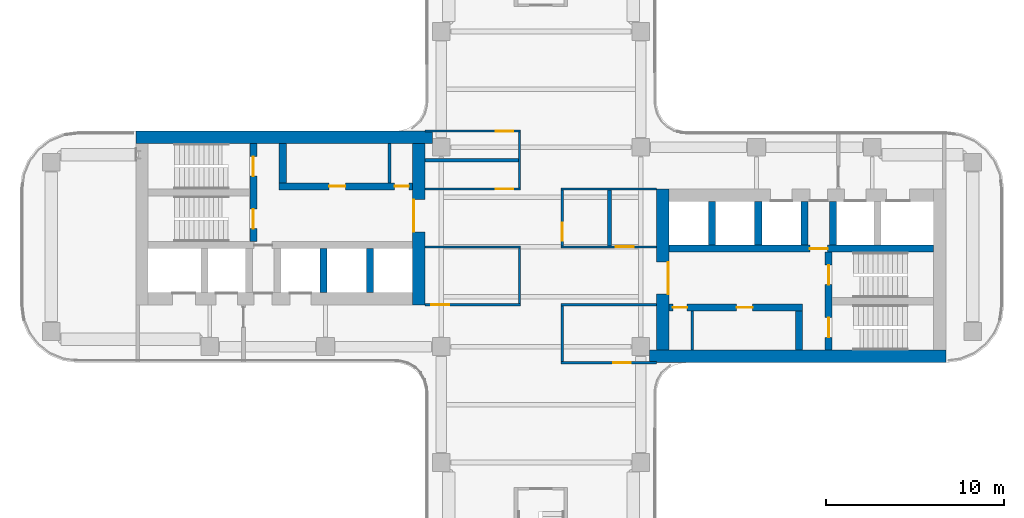
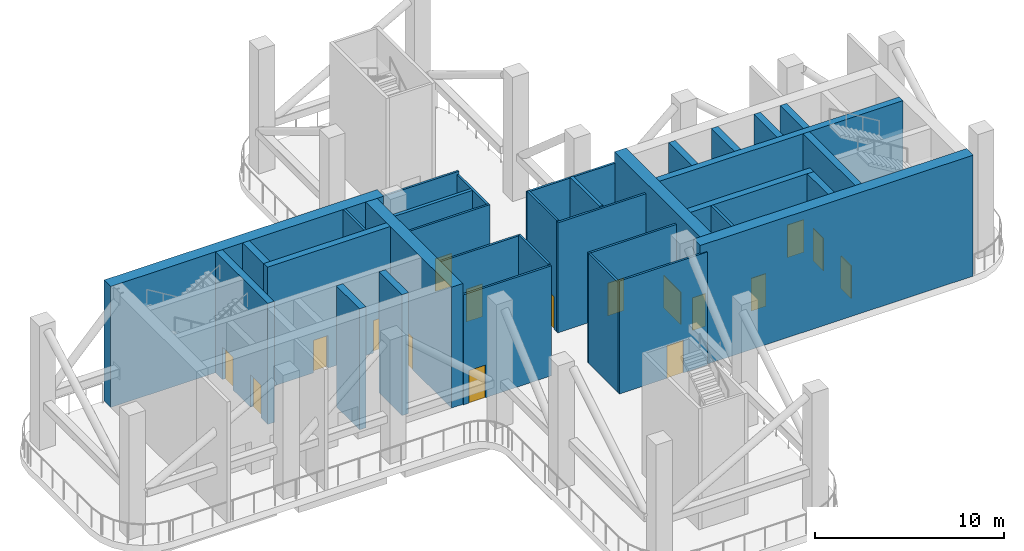
# One storey, part 4 of 9: 33 walls, 17 doors, 17 openings.
"""IFC4 building model written with IfcOpenShell, lengths in metres."""

from ifc_helpers import new_model, si_unit, direction, frame, frame_2d, origin, place, context, subcontext, project, spatial, rectangle, extrude, source, transform, mapped, material, layer, layer_set, type_object, element, fill, save


model = new_model("IFC4")

# Units and contexts
model_context = context("Model", 3, precision=1e-05, world=origin(), true_north=direction((0.0, 1.0)))
body_context = subcontext(model_context, "Body", "Model", "MODEL_VIEW")
ifc_project = project(units=[si_unit("LENGTHUNIT", "METRE"), si_unit("AREAUNIT", "SQUARE_METRE"), si_unit("VOLUMEUNIT", "CUBIC_METRE"), si_unit("PLANEANGLEUNIT", "RADIAN"), si_unit("MASSUNIT", "GRAM", prefix="KILO")], contexts=[model_context])

# Site, building, storey
site_placement = place(None, origin())
site = spatial("IfcSite", under=ifc_project, at=site_placement, CompositionType="ELEMENT")
building_placement = place(site_placement, origin())
building = spatial("IfcBuilding", under=site, at=building_placement, Name="Trellis Farm Tower", CompositionType="ELEMENT")
storey_placement = place(building_placement, frame((0.0, 0.0, 271.39990234375)))
storey = spatial("IfcBuildingStorey", under=building, at=storey_placement, Name="L61", CompositionType="ELEMENT", Elevation=271.39990234375)

# Walls
ifc_material_1 = material(Name="Lightweight blockwork, plastered", Category="masonry")
ifc_layer_1 = layer(ifc_material_1, 0.199951171875)
ifc_layer_set_1 = layer_set([ifc_layer_1], Name="BLOCK WALL 200 EI 120")
wall_type_1 = type_object("IfcWallType", Name="BLOCK WALL 200 EI 120", PredefinedType="PARTITIONING", material=ifc_layer_set_1)
wall_1_placement = place(storey_placement, frame((3.85009765625, 0.0625, 0.0), z_axis=(0.0, 0.0, 1.0), x_axis=(0.0, 1.0, 0.0)))
element("IfcWall", 1, at=wall_1_placement, inside=storey, type_object=wall_type_1, Name="Partition PW3", PredefinedType="PARTITIONING", context=body_context, shape_type="SweptSolid", body=[
    extrude(rectangle(XDim=3.125, YDim=0.199951171875, at=frame_2d((1.5625, 0.0))), origin(), (0.0, 0.0, 1.0), 7.16796875),
])
wall_2_placement = place(storey_placement, frame((-6.5, 4.875, 0.0), z_axis=(0.0, 0.0, 1.0), x_axis=(1.0, 0.0, 0.0)))
element("IfcWall", 2, at=wall_2_placement, inside=storey, type_object=wall_type_1, Name="Partition PW3", PredefinedType="PARTITIONING", context=body_context, shape_type="SweptSolid", body=[
    extrude(rectangle(XDim=5.237548828125, YDim=0.199951171875, at=frame_2d((2.61865234375, 0.0))), origin(), (0.0, 0.0, 1.0), 7.0966796875),
])

# Wall, opening, door
ifc_material_2 = material(Name="Concrete C60/75", Category="concrete")
ifc_layer_2 = layer(ifc_material_2, 0.699951171875)
ifc_layer_set_2 = layer_set([ifc_layer_2], Name="CORE OUTER WALL 700 CONCRETE C60/75")
wall_type_2 = type_object("IfcWallType", Name="CORE OUTER WALL 700 CONCRETE C60/75", PredefinedType="SHEAR", material=ifc_layer_set_2)
shared_shape_1 = source(origin(), body_context, "Body", "SweptSolid", [
    extrude(rectangle(XDim=9.050048828125, YDim=0.699951171875, at=frame_2d((4.52490234375, 0.0))), origin(), (0.0, 0.0, 1.0), 7.800048828125),
])
wall_3_placement = place(storey_placement, frame((6.85009765625, -5.800048828125, 0.0), z_axis=(0.0, 0.0, 1.0), x_axis=(0.0, 1.0, 0.0)))
wall_3 = element("IfcWall", 3, at=wall_3_placement, inside=storey, type_object=wall_type_2, Name="Core wall", PredefinedType="SHEAR", context=body_context, shape_type="MappedRepresentation", body=[
    mapped(shared_shape_1, transform((0.0, 0.0, 0.0))),
])
shared_shape_2 = source(origin(), body_context, "Body", "SweptSolid", [
    extrude(rectangle(XDim=1.800048828125, YDim=2.10009765625, at=frame_2d((0.89990234375, 1.050048828125))), frame((0.0, 0.360107421875, 0.0), z_axis=(0.0, -1.0, 0.0), x_axis=(1.0, 0.0, 0.0)), (0.0, 0.0, 1.0), 0.72021484375),
])
opening_1_placement = place(wall_3_placement, frame((3.14990234375, 0.0, 0.0)))
opening_1 = element("IfcOpeningElement", 4, at=opening_1_placement, cuts=wall_3, Name="Opening DC1", PredefinedType="OPENING", context=body_context, shape_type="MappedRepresentation", body=[
    mapped(shared_shape_2, transform((0.0, 0.0, 0.0))),
])
ifc_material_3 = material(Name="Steel", Category="steel")
door_type_1 = type_object("IfcDoorType", Name="CORE FIRE DOOR DOUBLE 1800 X 2100", OperationType="DOUBLE_DOOR_SINGLE_SWING", PredefinedType="DOOR", material=ifc_material_3)
shared_shape_3 = source(origin(), body_context, "Body", "SweptSolid", [
    extrude(rectangle(XDim=1.800048828125, YDim=2.10009765625, at=frame_2d((0.89990234375, 1.050048828125))), frame((0.0, -0.27490234375, 0.0), z_axis=(0.0, -1.0, 0.0), x_axis=(1.0, 0.0, 0.0)), (0.0, 0.0, 1.0), 0.050048828125),
])
door_1_placement = place(opening_1_placement, origin())
door_1 = element("IfcDoor", 5, at=door_1_placement, inside=storey, type_object=door_type_1, Name="Core door", OperationType="DOUBLE_DOOR_SINGLE_SWING", OverallHeight=2.10009765625, OverallWidth=1.800048828125, PredefinedType="DOOR", context=body_context, shape_type="MappedRepresentation", body=[
    mapped(shared_shape_3, transform((0.0, 0.0, 0.0))),
])
fill(opening_1, door_1)

wall_4_placement = place(storey_placement, frame((-6.85009765625, 5.800048828125, 0.0), z_axis=(0.0, 0.0, 1.0), x_axis=(0.0, -1.0, 0.0)))
wall_4 = element("IfcWall", 6, at=wall_4_placement, inside=storey, type_object=wall_type_2, Name="Core wall", PredefinedType="SHEAR", context=body_context, shape_type="MappedRepresentation", body=[
    mapped(shared_shape_1, transform((0.0, 0.0, 0.0))),
])
opening_2_placement = place(wall_4_placement, frame((3.14990234375, 0.0, 0.0)))
opening_2 = element("IfcOpeningElement", 7, at=opening_2_placement, cuts=wall_4, Name="Opening DC87", PredefinedType="OPENING", context=body_context, shape_type="MappedRepresentation", body=[
    mapped(shared_shape_2, transform((0.0, 0.0, 0.0))),
])
door_2_placement = place(opening_2_placement, origin())
door_2 = element("IfcDoor", 8, at=door_2_placement, inside=storey, type_object=door_type_1, Name="Core door", OperationType="DOUBLE_DOOR_SINGLE_SWING", OverallHeight=2.10009765625, OverallWidth=1.800048828125, PredefinedType="DOOR", context=body_context, shape_type="MappedRepresentation", body=[
    mapped(shared_shape_3, transform((0.0, 0.0, 0.0))),
])
fill(opening_2, door_2)

# Walls
ifc_layer_3 = layer(ifc_material_2, 0.39990234375)
ifc_layer_set_3 = layer_set([ifc_layer_3], Name="CORE INNER WALL 400 CONCRETE C60/75")
wall_type_3 = type_object("IfcWallType", Name="CORE INNER WALL 400 CONCRETE C60/75", PredefinedType="SHEAR", material=ifc_layer_set_3)
shared_shape_4 = source(origin(), body_context, "Body", "SweptSolid", [
    extrude(rectangle(XDim=2.449951171875, YDim=0.39990234375, at=frame_2d((1.22509765625, 0.0))), origin(), (0.0, 0.0, 1.0), 7.800048828125),
])
for number, where, z_axis, x_axis, name in (
    (9, (9.60009765625, 0.10009765625, 0.0), (0.0, 0.0, 1.0), (0.0, 1.0, 0.0), "Core wall"),
    (10, (12.199951171875, 0.10009765625, 0.0), (0.0, 0.0, 1.0), (0.0, 1.0, 0.0), "Core wall"),
    (11, (14.800048828125, 0.10009765625, 0.0), (0.0, 0.0, 1.0), (0.0, 1.0, 0.0), "Core wall"),
    (12, (16.39990234375, 0.10009765625, 0.0), (0.0, 0.0, 1.0), (0.0, 1.0, 0.0), "Core wall"),
    (13, (-9.60009765625, -0.10009765625, 0.0), (0.0, 0.0, 1.0), (0.0, -1.0, 0.0), "Core wall"),
    (14, (-12.199951171875, -0.10009765625, 0.0), (0.0, 0.0, 1.0), (0.0, -1.0, 0.0), "Core wall"),
):
    element("IfcWall", number, at=place(storey_placement, frame(where, z_axis=z_axis, x_axis=x_axis)), inside=storey, type_object=wall_type_3, Name=name, PredefinedType="SHEAR", context=body_context, shape_type="MappedRepresentation", body=[
        mapped(shared_shape_4, transform((0.0, 0.0, 0.0))),
    ])

# Wall, openings, doors
shared_shape_5 = source(origin(), body_context, "Body", "SweptSolid", [
    extrude(rectangle(XDim=7.5, YDim=0.39990234375, at=frame_2d((3.75, 0.0))), origin(), (0.0, 0.0, 1.0), 7.800048828125),
])
wall_5_placement = place(storey_placement, frame((7.199951171875, -3.39990234375, 0.0), z_axis=(0.0, 0.0, 1.0), x_axis=(1.0, 0.0, 0.0)))
wall_5 = element("IfcWall", 15, at=wall_5_placement, inside=storey, type_object=wall_type_3, Name="Core wall", PredefinedType="SHEAR", context=body_context, shape_type="MappedRepresentation", body=[
    mapped(shared_shape_5, transform((0.0, 0.0, 0.0))),
])
shared_shape_6 = source(origin(), body_context, "Body", "SweptSolid", [
    extrude(rectangle(XDim=0.800048828125, YDim=2.10009765625, at=frame_2d((0.39990234375, 1.050048828125))), frame((0.0, 0.2099609375, 0.0), z_axis=(0.0, -1.0, 0.0), x_axis=(1.0, 0.0, 0.0)), (0.0, 0.0, 1.0), 0.419921875),
])
opening_3_placement = place(wall_5_placement, frame((0.21240234375, 0.0, 0.0)))
opening_3 = element("IfcOpeningElement", 16, at=opening_3_placement, cuts=wall_5, Name="Opening DC51", PredefinedType="OPENING", context=body_context, shape_type="MappedRepresentation", body=[
    mapped(shared_shape_6, transform((0.0, 0.0, 0.0))),
])
shared_shape_7 = source(origin(), body_context, "Body", "SweptSolid", [
    extrude(rectangle(XDim=0.89990234375, YDim=2.10009765625, at=frame_2d((0.449951171875, 1.050048828125))), frame((0.0, 0.2099609375, 0.0), z_axis=(0.0, -1.0, 0.0), x_axis=(1.0, 0.0, 0.0)), (0.0, 0.0, 1.0), 0.419921875),
])
opening_4_placement = place(wall_5_placement, frame((3.78759765625, 0.0, 0.0)))
opening_4 = element("IfcOpeningElement", 17, at=opening_4_placement, cuts=wall_5, Name="Opening DC60", PredefinedType="OPENING", context=body_context, shape_type="MappedRepresentation", body=[
    mapped(shared_shape_7, transform((0.0, 0.0, 0.0))),
])
door_type_2 = type_object("IfcDoorType", Name="CORE FIRE DOOR 900 X 2100", OperationType="NOTDEFINED", PredefinedType="DOOR", material=ifc_material_3)
shared_shape_8 = source(origin(), body_context, "Body", "SweptSolid", [
    extrude(rectangle(XDim=0.89990234375, YDim=2.10009765625, at=frame_2d((0.449951171875, 1.050048828125))), frame((0.0, 0.02490234375, 0.0), z_axis=(0.0, -1.0, 0.0), x_axis=(1.0, 0.0, 0.0)), (0.0, 0.0, 1.0), 0.050048828125),
])
door_3_placement = place(opening_4_placement, origin())
door_3 = element("IfcDoor", 18, at=door_3_placement, inside=storey, type_object=door_type_2, Name="Core door", OperationType="SINGLE_SWING_RIGHT", OverallHeight=2.10009765625, OverallWidth=0.89990234375, PredefinedType="DOOR", context=body_context, shape_type="MappedRepresentation", body=[
    mapped(shared_shape_8, transform((0.0, 0.0, 0.0))),
])
fill(opening_4, door_3)
door_type_3 = type_object("IfcDoorType", Name="CORE FIRE DOOR 800 X 2100", OperationType="NOTDEFINED", PredefinedType="DOOR", material=ifc_material_3)
shared_shape_9 = source(origin(), body_context, "Body", "SweptSolid", [
    extrude(rectangle(XDim=0.800048828125, YDim=2.10009765625, at=frame_2d((0.39990234375, 1.050048828125))), frame((0.0, 0.02490234375, 0.0), z_axis=(0.0, -1.0, 0.0), x_axis=(1.0, 0.0, 0.0)), (0.0, 0.0, 1.0), 0.050048828125),
])
door_4_placement = place(opening_3_placement, origin())
door_4 = element("IfcDoor", 19, at=door_4_placement, inside=storey, type_object=door_type_3, Name="Core door", OperationType="SINGLE_SWING_LEFT", OverallHeight=2.10009765625, OverallWidth=0.800048828125, PredefinedType="DOOR", context=body_context, shape_type="MappedRepresentation", body=[
    mapped(shared_shape_9, transform((0.0, 0.0, 0.0))),
])
fill(opening_3, door_4)

wall_6_placement = place(storey_placement, frame((-7.199951171875, 3.39990234375, 0.0), z_axis=(0.0, 0.0, 1.0), x_axis=(-1.0, 0.0, 0.0)))
wall_6 = element("IfcWall", 20, at=wall_6_placement, inside=storey, type_object=wall_type_3, Name="Core wall", PredefinedType="SHEAR", context=body_context, shape_type="MappedRepresentation", body=[
    mapped(shared_shape_5, transform((0.0, 0.0, 0.0))),
])
opening_5_placement = place(wall_6_placement, frame((0.21240234375, 0.0, 0.0)))
opening_5 = element("IfcOpeningElement", 21, at=opening_5_placement, cuts=wall_6, Name="Opening DC137", PredefinedType="OPENING", context=body_context, shape_type="MappedRepresentation", body=[
    mapped(shared_shape_6, transform((0.0, 0.0, 0.0))),
])
opening_6_placement = place(wall_6_placement, frame((3.78759765625, 0.0, 0.0)))
opening_6 = element("IfcOpeningElement", 22, at=opening_6_placement, cuts=wall_6, Name="Opening DC146", PredefinedType="OPENING", context=body_context, shape_type="MappedRepresentation", body=[
    mapped(shared_shape_7, transform((0.0, 0.0, 0.0))),
])
door_5_placement = place(opening_6_placement, origin())
door_5 = element("IfcDoor", 23, at=door_5_placement, inside=storey, type_object=door_type_2, Name="Core door", OperationType="SINGLE_SWING_RIGHT", OverallHeight=2.10009765625, OverallWidth=0.89990234375, PredefinedType="DOOR", context=body_context, shape_type="MappedRepresentation", body=[
    mapped(shared_shape_8, transform((0.0, 0.0, 0.0))),
])
fill(opening_6, door_5)
door_6_placement = place(opening_5_placement, origin())
door_6 = element("IfcDoor", 24, at=door_6_placement, inside=storey, type_object=door_type_3, Name="Core door", OperationType="SINGLE_SWING_LEFT", OverallHeight=2.10009765625, OverallWidth=0.800048828125, PredefinedType="DOOR", context=body_context, shape_type="MappedRepresentation", body=[
    mapped(shared_shape_9, transform((0.0, 0.0, 0.0))),
])
fill(opening_5, door_6)

# Wall, opening, door
shared_shape_10 = source(origin(), body_context, "Body", "SweptSolid", [
    extrude(rectangle(XDim=14.85009765625, YDim=0.39990234375, at=frame_2d((7.425048828125, 0.0))), origin(), (0.0, 0.0, 1.0), 7.800048828125),
])
wall_7_placement = place(storey_placement, frame((7.199951171875, -0.10009765625, 0.0), z_axis=(0.0, 0.0, 1.0), x_axis=(1.0, 0.0, 0.0)))
wall_7 = element("IfcWall", 25, at=wall_7_placement, inside=storey, type_object=wall_type_3, Name="Core wall", PredefinedType="SHEAR", context=body_context, shape_type="MappedRepresentation", body=[
    mapped(shared_shape_10, transform((0.0, 0.0, 0.0))),
])
shared_shape_11 = source(origin(), body_context, "Body", "SweptSolid", [
    extrude(rectangle(XDim=1.0, YDim=2.10009765625, at=frame_2d((0.5, 1.050048828125))), frame((0.0, 0.2099609375, 0.0), z_axis=(0.0, -1.0, 0.0), x_axis=(1.0, 0.0, 0.0)), (0.0, 0.0, 1.0), 0.419921875),
])
opening_7_placement = place(wall_7_placement, frame((7.89990234375, 0.0, 0.0)))
opening_7 = element("IfcOpeningElement", 26, at=opening_7_placement, cuts=wall_7, Name="Opening DC5", PredefinedType="OPENING", context=body_context, shape_type="MappedRepresentation", body=[
    mapped(shared_shape_11, transform((0.0, 0.0, 0.0))),
])
door_type_4 = type_object("IfcDoorType", Name="CORE FIRE DOOR 1000 X 2100", OperationType="NOTDEFINED", PredefinedType="DOOR", material=ifc_material_3)
shared_shape_12 = source(origin(), body_context, "Body", "SweptSolid", [
    extrude(rectangle(XDim=1.0, YDim=2.10009765625, at=frame_2d((0.5, 1.050048828125))), frame((0.0, 0.02490234375, 0.0), z_axis=(0.0, -1.0, 0.0), x_axis=(1.0, 0.0, 0.0)), (0.0, 0.0, 1.0), 0.050048828125),
])
door_7_placement = place(opening_7_placement, origin())
door_7 = element("IfcDoor", 27, at=door_7_placement, inside=storey, type_object=door_type_4, Name="Core door", OperationType="SINGLE_SWING_RIGHT", OverallHeight=2.10009765625, OverallWidth=1.0, PredefinedType="DOOR", context=body_context, shape_type="MappedRepresentation", body=[
    mapped(shared_shape_12, transform((0.0, 0.0, 0.0))),
])
fill(opening_7, door_7)

# Wall, openings, doors
shared_shape_13 = source(origin(), body_context, "Body", "SweptSolid", [
    extrude(rectangle(XDim=5.5, YDim=0.39990234375, at=frame_2d((2.75, 0.0))), origin(), (0.0, 0.0, 1.0), 7.800048828125),
])
wall_8_placement = place(storey_placement, frame((16.14990234375, -5.800048828125, 0.0), z_axis=(0.0, 0.0, 1.0), x_axis=(0.0, 1.0, 0.0)))
wall_8 = element("IfcWall", 28, at=wall_8_placement, inside=storey, type_object=wall_type_3, Name="Core wall", PredefinedType="SHEAR", context=body_context, shape_type="MappedRepresentation", body=[
    mapped(shared_shape_13, transform((0.0, 0.0, 0.0))),
])
shared_shape_14 = source(origin(), body_context, "Body", "SweptSolid", [
    extrude(rectangle(XDim=1.10009765625, YDim=2.10009765625, at=frame_2d((0.550048828125, 1.050048828125))), frame((0.0, 0.2099609375, 0.0), z_axis=(0.0, -1.0, 0.0), x_axis=(1.0, 0.0, 0.0)), (0.0, 0.0, 1.0), 0.419921875),
])
opening_8_placement = place(wall_8_placement, frame((0.72509765625, 0.0, 0.0)))
opening_8 = element("IfcOpeningElement", 29, at=opening_8_placement, cuts=wall_8, Name="Opening DC2", PredefinedType="OPENING", context=body_context, shape_type="MappedRepresentation", body=[
    mapped(shared_shape_14, transform((0.0, 0.0, 0.0))),
])
opening_9_placement = place(wall_8_placement, frame((3.675048828125, 0.0, 0.0)))
opening_9 = element("IfcOpeningElement", 30, at=opening_9_placement, cuts=wall_8, Name="Opening DC3", PredefinedType="OPENING", context=body_context, shape_type="MappedRepresentation", body=[
    mapped(shared_shape_14, transform((0.0, 0.0, 0.0))),
])
door_type_5 = type_object("IfcDoorType", Name="CORE FIRE DOOR 1100 X 2100", OperationType="NOTDEFINED", PredefinedType="DOOR", material=ifc_material_3)
shared_shape_15 = source(origin(), body_context, "Body", "SweptSolid", [
    extrude(rectangle(XDim=1.10009765625, YDim=2.10009765625, at=frame_2d((0.550048828125, 1.050048828125))), frame((0.0, 0.02490234375, 0.0), z_axis=(0.0, -1.0, 0.0), x_axis=(1.0, 0.0, 0.0)), (0.0, 0.0, 1.0), 0.050048828125),
])
door_8_placement = place(opening_8_placement, origin())
door_8 = element("IfcDoor", 31, at=door_8_placement, inside=storey, type_object=door_type_5, Name="Core door", OperationType="SINGLE_SWING_RIGHT", OverallHeight=2.10009765625, OverallWidth=1.10009765625, PredefinedType="DOOR", context=body_context, shape_type="MappedRepresentation", body=[
    mapped(shared_shape_15, transform((0.0, 0.0, 0.0))),
])
fill(opening_8, door_8)
door_9_placement = place(opening_9_placement, origin())
door_9 = element("IfcDoor", 32, at=door_9_placement, inside=storey, type_object=door_type_5, Name="Core door", OperationType="SINGLE_SWING_LEFT", OverallHeight=2.10009765625, OverallWidth=1.10009765625, PredefinedType="DOOR", context=body_context, shape_type="MappedRepresentation", body=[
    mapped(shared_shape_15, transform((0.0, 0.0, 0.0))),
])
fill(opening_9, door_9)

wall_9_placement = place(storey_placement, frame((-16.14990234375, 5.800048828125, 0.0), z_axis=(0.0, 0.0, 1.0), x_axis=(0.0, -1.0, 0.0)))
wall_9 = element("IfcWall", 33, at=wall_9_placement, inside=storey, type_object=wall_type_3, Name="Core wall", PredefinedType="SHEAR", context=body_context, shape_type="MappedRepresentation", body=[
    mapped(shared_shape_13, transform((0.0, 0.0, 0.0))),
])
opening_10_placement = place(wall_9_placement, frame((0.72509765625, 0.0, 0.0)))
opening_10 = element("IfcOpeningElement", 34, at=opening_10_placement, cuts=wall_9, Name="Opening DC88", PredefinedType="OPENING", context=body_context, shape_type="MappedRepresentation", body=[
    mapped(shared_shape_14, transform((0.0, 0.0, 0.0))),
])
opening_11_placement = place(wall_9_placement, frame((3.675048828125, 0.0, 0.0)))
opening_11 = element("IfcOpeningElement", 35, at=opening_11_placement, cuts=wall_9, Name="Opening DC89", PredefinedType="OPENING", context=body_context, shape_type="MappedRepresentation", body=[
    mapped(shared_shape_14, transform((0.0, 0.0, 0.0))),
])
door_10_placement = place(opening_10_placement, origin())
door_10 = element("IfcDoor", 36, at=door_10_placement, inside=storey, type_object=door_type_5, Name="Core door", OperationType="SINGLE_SWING_RIGHT", OverallHeight=2.10009765625, OverallWidth=1.10009765625, PredefinedType="DOOR", context=body_context, shape_type="MappedRepresentation", body=[
    mapped(shared_shape_15, transform((0.0, 0.0, 0.0))),
])
fill(opening_10, door_10)
door_11_placement = place(opening_11_placement, origin())
door_11 = element("IfcDoor", 37, at=door_11_placement, inside=storey, type_object=door_type_5, Name="Core door", OperationType="SINGLE_SWING_LEFT", OverallHeight=2.10009765625, OverallWidth=1.10009765625, PredefinedType="DOOR", context=body_context, shape_type="MappedRepresentation", body=[
    mapped(shared_shape_15, transform((0.0, 0.0, 0.0))),
])
fill(opening_11, door_11)

# Walls
shared_shape_16 = source(origin(), body_context, "Body", "SweptSolid", [
    extrude(rectangle(XDim=2.199951171875, YDim=0.39990234375, at=frame_2d((1.10009765625, 0.0))), origin(), (0.0, 0.0, 1.0), 7.800048828125),
])
for number, where, z_axis, x_axis, name in (
    (38, (14.5, -5.800048828125, 0.0), (0.0, 0.0, 1.0), (0.0, 1.0, 0.0), "Core wall"),
    (39, (-14.5, 5.800048828125, 0.0), (0.0, 0.0, 1.0), (0.0, -1.0, 0.0), "Core wall"),
):
    element("IfcWall", number, at=place(storey_placement, frame(where, z_axis=z_axis, x_axis=x_axis)), inside=storey, type_object=wall_type_3, Name=name, PredefinedType="SHEAR", context=body_context, shape_type="MappedRepresentation", body=[
        mapped(shared_shape_16, transform((0.0, 0.0, 0.0))),
    ])
ifc_material_4 = material(Name="Masonry blockwork", Category="masonry")
ifc_layer_4 = layer(ifc_material_4, 0.14990234375)
ifc_layer_set_4 = layer_set([ifc_layer_4], Name="CORE PARTITION 150 BLOCKWORK")
wall_type_4 = type_object("IfcWallType", Name="CORE PARTITION 150 BLOCKWORK", PredefinedType="PARTITIONING", material=ifc_layer_set_4)
shared_shape_17 = source(origin(), body_context, "Body", "SweptSolid", [
    extrude(rectangle(XDim=2.199951171875, YDim=0.14990234375, at=frame_2d((1.10009765625, 0.0))), origin(), (0.0, 0.0, 1.0), 7.800048828125),
])
for number, where, z_axis, x_axis, name in (
    (40, (8.5, -5.800048828125, 0.0), (0.0, 0.0, 1.0), (0.0, 1.0, 0.0), "Core room partition"),
    (41, (-8.5, 5.800048828125, 0.0), (0.0, 0.0, 1.0), (0.0, -1.0, 0.0), "Core room partition"),
):
    element("IfcWall", number, at=place(storey_placement, frame(where, z_axis=z_axis, x_axis=x_axis)), inside=storey, type_object=wall_type_4, Name=name, PredefinedType="PARTITIONING", context=body_context, shape_type="MappedRepresentation", body=[
        mapped(shared_shape_17, transform((0.0, 0.0, 0.0))),
    ])
shared_shape_18 = source(origin(), body_context, "Body", "SweptSolid", [
    extrude(rectangle(XDim=16.64990234375, YDim=0.699951171875, at=frame_2d((8.324951171875, 0.0))), origin(), (0.0, 0.0, 1.0), 7.800048828125),
])
for number, where, z_axis, x_axis, name in (
    (42, (6.10009765625, -6.14990234375, 0.0), (0.0, 0.0, 1.0), (1.0, 0.0, 0.0), "Core wall"),
    (43, (-6.10009765625, 6.14990234375, 0.0), (0.0, 0.0, 1.0), (-1.0, 0.0, 0.0), "Core wall"),
):
    element("IfcWall", number, at=place(storey_placement, frame(where, z_axis=z_axis, x_axis=x_axis)), inside=storey, type_object=wall_type_2, Name=name, PredefinedType="SHEAR", context=body_context, shape_type="MappedRepresentation", body=[
        mapped(shared_shape_18, transform((0.0, 0.0, 0.0))),
    ])
ifc_material_5 = material(Name="Plasterboard on steel studs, mineral wool", Category="steel")
ifc_layer_5 = layer(ifc_material_5, 0.125)
ifc_layer_set_5 = layer_set([ifc_layer_5], Name="PARTITION 125 STUD EI 60")
wall_type_5 = type_object("IfcWallType", Name="PARTITION 125 STUD EI 60", PredefinedType="PARTITIONING", material=ifc_layer_set_5)
shared_shape_19 = source(origin(), body_context, "Body", "SweptSolid", [
    extrude(rectangle(XDim=3.125, YDim=0.125, at=frame_2d((1.5625, 0.0))), origin(), (0.0, 0.0, 1.0), 7.16796875),
])
wall_10_placement = place(storey_placement, frame((-1.199951171875, -0.0625, 0.0), z_axis=(0.0, 0.0, 1.0), x_axis=(0.0, -1.0, 0.0)))
element("IfcWall", 44, at=wall_10_placement, inside=storey, type_object=wall_type_5, Name="Partition PW1", PredefinedType="PARTITIONING", context=body_context, shape_type="MappedRepresentation", body=[
    mapped(shared_shape_19, transform((0.0, 0.0, 0.0))),
])

# Wall, opening, door
wall_11_placement = place(storey_placement, frame((1.199951171875, 3.1875, 0.0), z_axis=(0.0, 0.0, 1.0), x_axis=(0.0, -1.0, 0.0)))
wall_11 = element("IfcWall", 45, at=wall_11_placement, inside=storey, type_object=wall_type_5, Name="Partition PW1", PredefinedType="PARTITIONING", context=body_context, shape_type="MappedRepresentation", body=[
    mapped(shared_shape_19, transform((0.0, 0.0, 0.0))),
])
shared_shape_20 = source(origin(), body_context, "Body", "SweptSolid", [
    extrude(rectangle(XDim=1.0, YDim=2.10009765625, at=frame_2d((0.5, 1.050048828125))), frame((0.0, 0.072509765625, 0.0), z_axis=(0.0, -1.0, 0.0), x_axis=(1.0, 0.0, 0.0)), (0.0, 0.0, 1.0), 0.14501953125),
])
opening_12_placement = place(wall_11_placement, frame((1.83740234375, 0.0, 0.0)))
opening_12 = element("IfcOpeningElement", 46, at=opening_12_placement, cuts=wall_11, Name="Opening D304", PredefinedType="OPENING", context=body_context, shape_type="MappedRepresentation", body=[
    mapped(shared_shape_20, transform((0.0, 0.0, 0.0))),
])
ifc_material_6 = material(Name="Fire-rated timber door leaf in a hollow metal frame", Category="wood")
door_type_6 = type_object("IfcDoorType", Name="DOOR 1000x2100 FD60", OperationType="NOTDEFINED", PredefinedType="DOOR", material=ifc_material_6)
door_12_placement = place(opening_12_placement, origin())
door_12 = element("IfcDoor", 47, at=door_12_placement, inside=storey, type_object=door_type_6, Name="Door D304", OperationType="SINGLE_SWING_RIGHT", OverallHeight=2.10009765625, OverallWidth=1.0, PredefinedType="DOOR", context=body_context, shape_type="MappedRepresentation", body=[
    mapped(shared_shape_12, transform((0.0, 0.0, 0.0))),
])
fill(opening_12, door_12)

shared_shape_21 = source(origin(), body_context, "Body", "SweptSolid", [
    extrude(rectangle(XDim=5.362548828125, YDim=0.125, at=frame_2d((2.68115234375, 0.0))), origin(), (0.0, 0.0, 1.0), 7.280029296875),
])
wall_12_placement = place(storey_placement, frame((6.5, -6.5, 0.0), z_axis=(0.0, 0.0, 1.0), x_axis=(-1.0, 0.0, 0.0)))
wall_12 = element("IfcWall", 48, at=wall_12_placement, inside=storey, type_object=wall_type_5, Name="Partition PW1", PredefinedType="PARTITIONING", context=body_context, shape_type="MappedRepresentation", body=[
    mapped(shared_shape_21, transform((0.0, 0.0, 0.0))),
])
opening_13_placement = place(wall_12_placement, frame((1.449951171875, 0.0, 0.0)))
opening_13 = element("IfcOpeningElement", 49, at=opening_13_placement, cuts=wall_12, Name="Opening D301", PredefinedType="OPENING", context=body_context, shape_type="MappedRepresentation", body=[
    mapped(shared_shape_20, transform((0.0, 0.0, 0.0))),
])
door_13_placement = place(opening_13_placement, origin())
door_13 = element("IfcDoor", 50, at=door_13_placement, inside=storey, type_object=door_type_6, Name="Door D301", OperationType="SINGLE_SWING_LEFT", OverallHeight=2.10009765625, OverallWidth=1.0, PredefinedType="DOOR", context=body_context, shape_type="MappedRepresentation", body=[
    mapped(shared_shape_12, transform((0.0, 0.0, 0.0))),
])
fill(opening_13, door_13)

wall_13_placement = place(storey_placement, frame((-6.5, 6.5, 0.0), z_axis=(0.0, 0.0, 1.0), x_axis=(1.0, 0.0, 0.0)))
wall_13 = element("IfcWall", 51, at=wall_13_placement, inside=storey, type_object=wall_type_5, Name="Partition PW1", PredefinedType="PARTITIONING", context=body_context, shape_type="MappedRepresentation", body=[
    mapped(shared_shape_21, transform((0.0, 0.0, 0.0))),
])
opening_14_placement = place(wall_13_placement, frame((3.949951171875, 0.0, 0.0)))
opening_14 = element("IfcOpeningElement", 52, at=opening_14_placement, cuts=wall_13, Name="Opening D306", PredefinedType="OPENING", context=body_context, shape_type="MappedRepresentation", body=[
    mapped(shared_shape_20, transform((0.0, 0.0, 0.0))),
])
door_14_placement = place(opening_14_placement, origin())
door_14 = element("IfcDoor", 53, at=door_14_placement, inside=storey, type_object=door_type_6, Name="Door D306", OperationType="SINGLE_SWING_RIGHT", OverallHeight=2.10009765625, OverallWidth=1.0, PredefinedType="DOOR", context=body_context, shape_type="MappedRepresentation", body=[
    mapped(shared_shape_12, transform((0.0, 0.0, 0.0))),
])
fill(opening_14, door_14)

# Walls
shared_shape_22 = source(origin(), body_context, "Body", "SweptSolid", [
    extrude(rectangle(XDim=3.125, YDim=0.125, at=frame_2d((1.5625, 0.0))), origin(), (0.0, 0.0, 1.0), 7.0966796875),
])
for number, where, z_axis, x_axis, name in (
    (54, (-1.199951171875, 6.4375, 0.0), (0.0, 0.0, 1.0), (0.0, -1.0, 0.0), "Partition PW1"),
    (55, (1.199951171875, -3.3125, 0.0), (0.0, 0.0, 1.0), (0.0, -1.0, 0.0), "Partition PW1"),
):
    element("IfcWall", number, at=place(storey_placement, frame(where, z_axis=z_axis, x_axis=x_axis)), inside=storey, type_object=wall_type_5, Name=name, PredefinedType="PARTITIONING", context=body_context, shape_type="MappedRepresentation", body=[
        mapped(shared_shape_22, transform((0.0, 0.0, 0.0))),
    ])

# Wall, opening, door
shared_shape_23 = source(origin(), body_context, "Body", "SweptSolid", [
    extrude(rectangle(XDim=5.362548828125, YDim=0.125, at=frame_2d((2.68115234375, 0.0))), origin(), (0.0, 0.0, 1.0), 7.0966796875),
])
wall_14_placement = place(storey_placement, frame((-1.137451171875, -3.25, 0.0), z_axis=(0.0, 0.0, 1.0), x_axis=(-1.0, 0.0, 0.0)))
wall_14 = element("IfcWall", 56, at=wall_14_placement, inside=storey, type_object=wall_type_5, Name="Partition PW1", PredefinedType="PARTITIONING", context=body_context, shape_type="MappedRepresentation", body=[
    mapped(shared_shape_23, transform((0.0, 0.0, 0.0))),
])
opening_15_placement = place(wall_14_placement, frame((4.012451171875, 0.0, 0.0)))
opening_15 = element("IfcOpeningElement", 57, at=opening_15_placement, cuts=wall_14, Name="Opening D302", PredefinedType="OPENING", context=body_context, shape_type="MappedRepresentation", body=[
    mapped(shared_shape_20, transform((0.0, 0.0, 0.0))),
])
door_15_placement = place(opening_15_placement, origin())
door_15 = element("IfcDoor", 58, at=door_15_placement, inside=storey, type_object=door_type_6, Name="Door D302", OperationType="SINGLE_SWING_RIGHT", OverallHeight=2.10009765625, OverallWidth=1.0, PredefinedType="DOOR", context=body_context, shape_type="MappedRepresentation", body=[
    mapped(shared_shape_12, transform((0.0, 0.0, 0.0))),
])
fill(opening_15, door_15)

# Walls
for number, where, z_axis, x_axis, name in (
    (59, (6.5, -3.25, 0.0), (0.0, 0.0, 1.0), (-1.0, 0.0, 0.0), "Partition PW1"),
    (60, (-1.137451171875, 0.0, 0.0), (0.0, 0.0, 1.0), (-1.0, 0.0, 0.0), "Partition PW1"),
):
    element("IfcWall", number, at=place(storey_placement, frame(where, z_axis=z_axis, x_axis=x_axis)), inside=storey, type_object=wall_type_5, Name=name, PredefinedType="PARTITIONING", context=body_context, shape_type="MappedRepresentation", body=[
        mapped(shared_shape_23, transform((0.0, 0.0, 0.0))),
    ])

# Wall, opening, door
wall_15_placement = place(storey_placement, frame((6.5, 0.0, 0.0), z_axis=(0.0, 0.0, 1.0), x_axis=(-1.0, 0.0, 0.0)))
wall_15 = element("IfcWall", 61, at=wall_15_placement, inside=storey, type_object=wall_type_5, Name="Partition PW1", PredefinedType="PARTITIONING", context=body_context, shape_type="MappedRepresentation", body=[
    mapped(shared_shape_23, transform((0.0, 0.0, 0.0))),
])
opening_16_placement = place(wall_15_placement, frame((1.300048828125, 0.0, 0.0)))
opening_16 = element("IfcOpeningElement", 62, at=opening_16_placement, cuts=wall_15, Name="Opening D303", PredefinedType="OPENING", context=body_context, shape_type="MappedRepresentation", body=[
    mapped(shared_shape_20, transform((0.0, 0.0, 0.0))),
])
door_16_placement = place(opening_16_placement, origin())
door_16 = element("IfcDoor", 63, at=door_16_placement, inside=storey, type_object=door_type_6, Name="Door D303", OperationType="SINGLE_SWING_RIGHT", OverallHeight=2.10009765625, OverallWidth=1.0, PredefinedType="DOOR", context=body_context, shape_type="MappedRepresentation", body=[
    mapped(shared_shape_12, transform((0.0, 0.0, 0.0))),
])
fill(opening_16, door_16)

wall_16_placement = place(storey_placement, frame((-6.5, 3.25, 0.0), z_axis=(0.0, 0.0, 1.0), x_axis=(1.0, 0.0, 0.0)))
wall_16 = element("IfcWall", 64, at=wall_16_placement, inside=storey, type_object=wall_type_5, Name="Partition PW1", PredefinedType="PARTITIONING", context=body_context, shape_type="MappedRepresentation", body=[
    mapped(shared_shape_23, transform((0.0, 0.0, 0.0))),
])
opening_17_placement = place(wall_16_placement, frame((3.949951171875, 0.0, 0.0)))
opening_17 = element("IfcOpeningElement", 65, at=opening_17_placement, cuts=wall_16, Name="Opening D305", PredefinedType="OPENING", context=body_context, shape_type="MappedRepresentation", body=[
    mapped(shared_shape_20, transform((0.0, 0.0, 0.0))),
])
door_17_placement = place(opening_17_placement, origin())
door_17 = element("IfcDoor", 66, at=door_17_placement, inside=storey, type_object=door_type_6, Name="Door D305", OperationType="SINGLE_SWING_RIGHT", OverallHeight=2.10009765625, OverallWidth=1.0, PredefinedType="DOOR", context=body_context, shape_type="MappedRepresentation", body=[
    mapped(shared_shape_12, transform((0.0, 0.0, 0.0))),
])
fill(opening_17, door_17)

# Wall
wall_17_placement = place(storey_placement, frame((1.137451171875, 3.25, 0.0), z_axis=(0.0, 0.0, 1.0), x_axis=(1.0, 0.0, 0.0)))
element("IfcWall", 67, at=wall_17_placement, inside=storey, type_object=wall_type_5, Name="Partition PW1", PredefinedType="PARTITIONING", context=body_context, shape_type="MappedRepresentation", body=[
    mapped(shared_shape_23, transform((0.0, 0.0, 0.0))),
])

save(model, "model.ifc")
